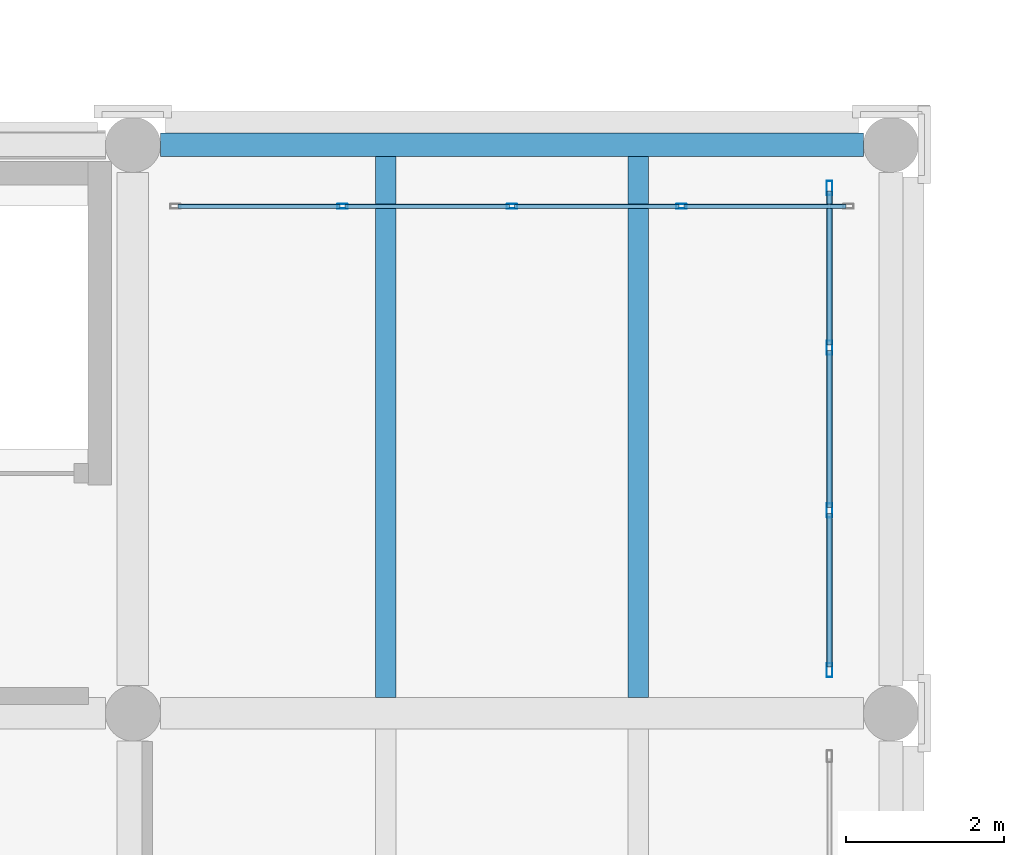
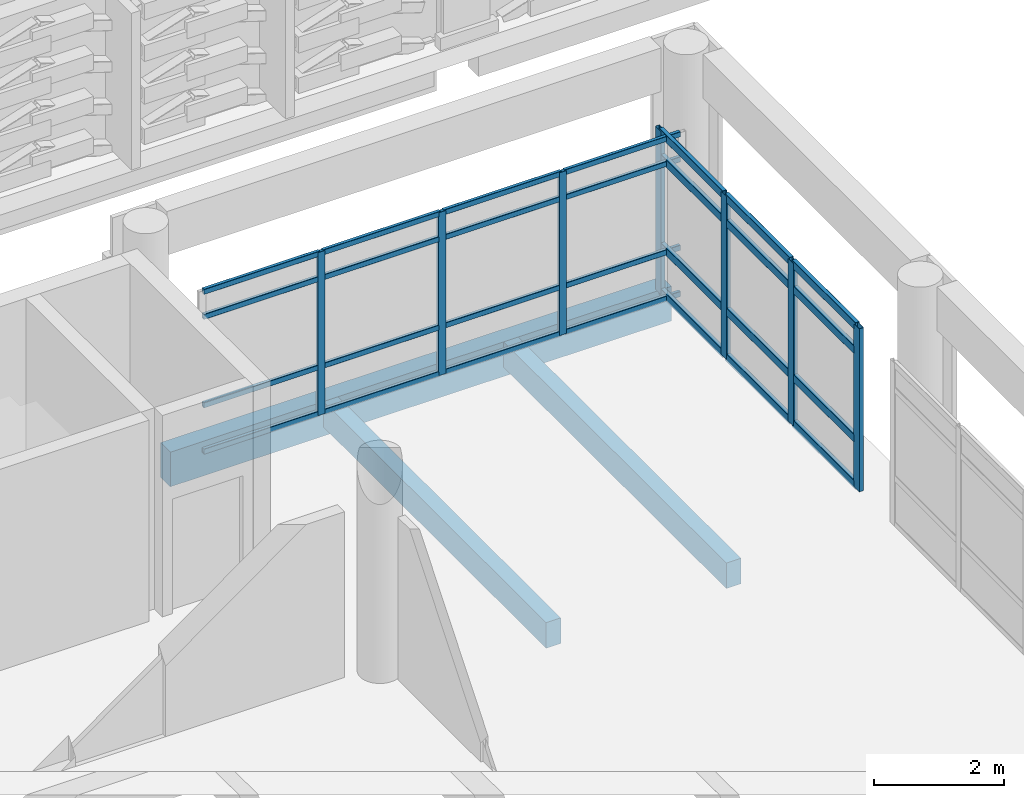
# One storey, part 53 of 180: 35 members, 3 beams, 2 elements without a shape of their own.
"""IFC4 building model written with IfcOpenShell, lengths in metres."""

from ifc_helpers import new_model, si_unit, direction, frame, origin, origin_2d, place, context, subcontext, project, spatial, rectangle, hollow_rectangle, extrude, material, layer, layer_set, material_profile, profile_set, type_object, element, aggregate, save


model = new_model("IFC4")

# Units and contexts
model_context = context("Model", 3, precision=1e-05, world=origin(), true_north=direction((0.0, 1.0)))
body_context = subcontext(model_context, "Body", "Model", "MODEL_VIEW")
ifc_project = project(units=[si_unit("LENGTHUNIT", "METRE"), si_unit("AREAUNIT", "SQUARE_METRE"), si_unit("VOLUMEUNIT", "CUBIC_METRE"), si_unit("PLANEANGLEUNIT", "RADIAN"), si_unit("MASSUNIT", "GRAM", prefix="KILO")], contexts=[model_context])

# Site, building, storey
site_placement = place(None, origin())
site = spatial("IfcSite", under=ifc_project, at=site_placement, CompositionType="ELEMENT")
building_placement = place(site_placement, origin())
building = spatial("IfcBuilding", under=site, at=building_placement, Name="Asteropetra Specialist Clinic", CompositionType="ELEMENT")
storey_placement = place(building_placement, frame((0.0, 0.0, 4.419921875)))
storey = spatial("IfcBuildingStorey", under=building, at=storey_placement, Name="L01", CompositionType="ELEMENT", Elevation=4.419921875)

# Curtain wall, members
ifc_material_1 = material(Name="Aluminium and low-E glass", Category="aluminium")
ifc_layer_1 = layer(ifc_material_1, 0.14990234375)
ifc_layer_set_1 = layer_set([ifc_layer_1], Name="Aluminium and low-E glass")
curtain_wall_type_1 = type_object("IfcCurtainWallType", Name="CW-SYS-11", PredefinedType="USERDEFINED", material=ifc_layer_set_1)
curtain_wall_1_placement = place(storey_placement, origin())
curtain_wall_1 = element("IfcCurtainWall", 1, at=curtain_wall_1_placement, inside=storey, type_object=curtain_wall_type_1, Name="Curtain Wall CW-158", ObjectType="STICK GLAZED COLONNADE", PredefinedType="USERDEFINED")
ifc_material_2 = material(Name="Aluminium 6063-T6", Category="aluminium")
ifc_material_profile_1 = material_profile(ifc_material_2, hollow_rectangle(XDim=0.06005859375, YDim=0.135009765625, WallThickness=0.00341796875, InnerFilletRadius=0.00341796875, OuterFilletRadius=0.007080078125, at=origin_2d()), Name="MUL 135x60x3.5")
ifc_profile_set_1 = profile_set([ifc_material_profile_1], Name="Aluminium 6063-T6")
member_type_1 = type_object("IfcMemberType", Name="CWM-135x60", PredefinedType="MULLION", material=ifc_profile_set_1)
member_1_placement = place(storey_placement, frame((45.344970703125, 61.6201171875, 0.0), z_axis=(0.0, 0.0, 1.0), x_axis=(0.0, -1.0, 0.0)))
member_1 = element("IfcMember", 2, at=member_1_placement, type_object=member_type_1, Name="CW-158 mullion 2", PredefinedType="MULLION", context=body_context, shape_type="SweptSolid", body=[
    extrude(hollow_rectangle(XDim=0.06005859375, YDim=0.135009765625, WallThickness=0.00341796875, InnerFilletRadius=0.00341796875, OuterFilletRadius=0.007080078125, at=origin_2d()), origin(), (0.0, 0.0, 1.0), 3.06005859375),
])
member_2_placement = place(storey_placement, frame((43.199951171875, 61.6201171875, 0.0), z_axis=(0.0, 0.0, 1.0), x_axis=(0.0, -1.0, 0.0)))
member_2 = element("IfcMember", 3, at=member_2_placement, type_object=member_type_1, Name="CW-158 mullion 3", PredefinedType="MULLION", context=body_context, shape_type="SweptSolid", body=[
    extrude(hollow_rectangle(XDim=0.06005859375, YDim=0.135009765625, WallThickness=0.00341796875, InnerFilletRadius=0.00341796875, OuterFilletRadius=0.007080078125, at=origin_2d()), origin(), (0.0, 0.0, 1.0), 3.06005859375),
])
member_3_placement = place(storey_placement, frame((41.054931640625, 61.6201171875, 0.0), z_axis=(0.0, 0.0, 1.0), x_axis=(0.0, -1.0, 0.0)))
member_3 = element("IfcMember", 4, at=member_3_placement, type_object=member_type_1, Name="CW-158 mullion 4", PredefinedType="MULLION", context=body_context, shape_type="SweptSolid", body=[
    extrude(hollow_rectangle(XDim=0.06005859375, YDim=0.135009765625, WallThickness=0.00341796875, InnerFilletRadius=0.00341796875, OuterFilletRadius=0.007080078125, at=origin_2d()), origin(), (0.0, 0.0, 1.0), 3.06005859375),
])

ifc_material_3 = material(Name="Aluminium and low-E glass", Category="aluminium")
ifc_layer_2 = layer(ifc_material_3, 0.179931640625)
ifc_layer_set_2 = layer_set([ifc_layer_2], Name="Aluminium and low-E glass")
curtain_wall_type_2 = type_object("IfcCurtainWallType", Name="CW-SYS-01", PredefinedType="USERDEFINED", material=ifc_layer_set_2)
curtain_wall_2_placement = place(storey_placement, origin())
curtain_wall_2 = element("IfcCurtainWall", 5, at=curtain_wall_2_placement, inside=storey, type_object=curtain_wall_type_2, Name="Curtain Wall CW-165", ObjectType="UNITISED CURTAIN WALL", PredefinedType="USERDEFINED")
ifc_material_4 = material(Name="Aluminium 6063-T6", Category="aluminium")
ifc_material_profile_2 = material_profile(ifc_material_4, hollow_rectangle(XDim=0.074951171875, YDim=0.179931640625, WallThickness=0.00390625, InnerFilletRadius=0.00390625, OuterFilletRadius=0.008056640625, at=origin_2d()), Name="MUL 180x75x4.0")
ifc_profile_set_2 = profile_set([ifc_material_profile_2], Name="Aluminium 6063-T6")
member_type_2 = type_object("IfcMemberType", Name="CWM-180x75", PredefinedType="MULLION", material=ifc_profile_set_2)
member_4_placement = place(storey_placement, frame((47.219970703125, 55.74755859375, 0.0), z_axis=(0.0, 0.0, 1.0), x_axis=(-1.0, 0.0, 0.0)))
member_4 = element("IfcMember", 6, at=member_4_placement, type_object=member_type_2, Name="CW-165 mullion 1", PredefinedType="MULLION", context=body_context, shape_type="SweptSolid", body=[
    extrude(hollow_rectangle(XDim=0.074951171875, YDim=0.179931640625, WallThickness=0.00390625, InnerFilletRadius=0.00390625, OuterFilletRadius=0.008056640625, at=origin_2d()), origin(), (0.0, 0.0, 1.0), 3.06005859375),
])
member_5_placement = place(storey_placement, frame((47.219970703125, 57.77001953125, 0.0), z_axis=(0.0, 0.0, 1.0), x_axis=(-1.0, 0.0, 0.0)))
member_5 = element("IfcMember", 7, at=member_5_placement, type_object=member_type_2, Name="CW-165 mullion 2", PredefinedType="MULLION", context=body_context, shape_type="SweptSolid", body=[
    extrude(hollow_rectangle(XDim=0.074951171875, YDim=0.179931640625, WallThickness=0.00390625, InnerFilletRadius=0.00390625, OuterFilletRadius=0.008056640625, at=origin_2d()), origin(), (0.0, 0.0, 1.0), 3.06005859375),
])
member_6_placement = place(storey_placement, frame((47.219970703125, 59.830078125, 0.0), z_axis=(0.0, 0.0, 1.0), x_axis=(-1.0, 0.0, 0.0)))
member_6 = element("IfcMember", 8, at=member_6_placement, type_object=member_type_2, Name="CW-165 mullion 3", PredefinedType="MULLION", context=body_context, shape_type="SweptSolid", body=[
    extrude(hollow_rectangle(XDim=0.074951171875, YDim=0.179931640625, WallThickness=0.00390625, InnerFilletRadius=0.00390625, OuterFilletRadius=0.008056640625, at=origin_2d()), origin(), (0.0, 0.0, 1.0), 3.06005859375),
])
member_7_placement = place(storey_placement, frame((47.219970703125, 61.8525390625, 0.0), z_axis=(0.0, 0.0, 1.0), x_axis=(-1.0, 0.0, 0.0)))
member_7 = element("IfcMember", 9, at=member_7_placement, type_object=member_type_2, Name="CW-165 mullion 4", PredefinedType="MULLION", context=body_context, shape_type="SweptSolid", body=[
    extrude(hollow_rectangle(XDim=0.074951171875, YDim=0.179931640625, WallThickness=0.00390625, InnerFilletRadius=0.00390625, OuterFilletRadius=0.008056640625, at=origin_2d()), origin(), (0.0, 0.0, 1.0), 3.06005859375),
])

# Member
ifc_material_5 = material(Name="Aluminium 6063-T6", Category="aluminium")
ifc_material_profile_3 = material_profile(ifc_material_5, hollow_rectangle(XDim=0.06005859375, YDim=0.10009765625, WallThickness=0.00341796875, InnerFilletRadius=0.00341796875, OuterFilletRadius=0.007080078125, at=origin_2d()), Name="TRN 100x60x3.5")
ifc_profile_set_3 = profile_set([ifc_material_profile_3], Name="Aluminium 6063-T6")
member_type_3 = type_object("IfcMemberType", Name="CWT-100x60", PredefinedType="USERDEFINED", material=ifc_profile_set_3)
member_8_placement = place(storey_placement, frame((47.429931640625, 61.6201171875, 0.030029296875), z_axis=(-1.0, 0.0, 0.0), x_axis=(0.0, -1.0, 0.0)))
member_8 = element("IfcMember", 10, at=member_8_placement, type_object=member_type_3, Name="CW-158 transom 1.1", ObjectType="TRANSOM", PredefinedType="USERDEFINED", context=body_context, shape_type="SweptSolid", body=[
    extrude(hollow_rectangle(XDim=0.06005859375, YDim=0.10009765625, WallThickness=0.00341796875, InnerFilletRadius=0.00341796875, OuterFilletRadius=0.007080078125, at=origin_2d()), origin(), (0.0, 0.0, 1.0), 2.054931640625),
])

member_9_placement = place(storey_placement, frame((47.429931640625, 61.6201171875, 0.900146484375), z_axis=(-1.0, 0.0, 0.0), x_axis=(0.0, -1.0, 0.0)))
member_9 = element("IfcMember", 11, at=member_9_placement, type_object=member_type_3, Name="CW-158 transom 1.2", ObjectType="TRANSOM", PredefinedType="USERDEFINED", context=body_context, shape_type="SweptSolid", body=[
    extrude(hollow_rectangle(XDim=0.06005859375, YDim=0.10009765625, WallThickness=0.00341796875, InnerFilletRadius=0.00341796875, OuterFilletRadius=0.007080078125, at=origin_2d()), origin(), (0.0, 0.0, 1.0), 2.054931640625),
])

member_10_placement = place(storey_placement, frame((47.429931640625, 61.6201171875, 2.56005859375), z_axis=(-1.0, 0.0, 0.0), x_axis=(0.0, -1.0, 0.0)))
member_10 = element("IfcMember", 12, at=member_10_placement, type_object=member_type_3, Name="CW-158 transom 1.3", ObjectType="TRANSOM", PredefinedType="USERDEFINED", context=body_context, shape_type="SweptSolid", body=[
    extrude(hollow_rectangle(XDim=0.06005859375, YDim=0.10009765625, WallThickness=0.00341796875, InnerFilletRadius=0.00341796875, OuterFilletRadius=0.007080078125, at=origin_2d()), origin(), (0.0, 0.0, 1.0), 2.054931640625),
])

member_11_placement = place(storey_placement, frame((47.429931640625, 61.6201171875, 3.030029296875), z_axis=(-1.0, 0.0, 0.0), x_axis=(0.0, -1.0, 0.0)))
member_11 = element("IfcMember", 13, at=member_11_placement, type_object=member_type_3, Name="CW-158 transom 1.4", ObjectType="TRANSOM", PredefinedType="USERDEFINED", context=body_context, shape_type="SweptSolid", body=[
    extrude(hollow_rectangle(XDim=0.06005859375, YDim=0.10009765625, WallThickness=0.00341796875, InnerFilletRadius=0.00341796875, OuterFilletRadius=0.007080078125, at=origin_2d()), origin(), (0.0, 0.0, 1.0), 2.054931640625),
])

member_12_placement = place(storey_placement, frame((45.31494140625, 61.6201171875, 0.030029296875), z_axis=(-1.0, 0.0, 0.0), x_axis=(0.0, -1.0, 0.0)))
member_12 = element("IfcMember", 14, at=member_12_placement, type_object=member_type_3, Name="CW-158 transom 2.1", ObjectType="TRANSOM", PredefinedType="USERDEFINED", context=body_context, shape_type="SweptSolid", body=[
    extrude(hollow_rectangle(XDim=0.06005859375, YDim=0.10009765625, WallThickness=0.00341796875, InnerFilletRadius=0.00341796875, OuterFilletRadius=0.007080078125, at=origin_2d()), origin(), (0.0, 0.0, 1.0), 2.0849609375),
])

member_13_placement = place(storey_placement, frame((45.31494140625, 61.6201171875, 0.900146484375), z_axis=(-1.0, 0.0, 0.0), x_axis=(0.0, -1.0, 0.0)))
member_13 = element("IfcMember", 15, at=member_13_placement, type_object=member_type_3, Name="CW-158 transom 2.2", ObjectType="TRANSOM", PredefinedType="USERDEFINED", context=body_context, shape_type="SweptSolid", body=[
    extrude(hollow_rectangle(XDim=0.06005859375, YDim=0.10009765625, WallThickness=0.00341796875, InnerFilletRadius=0.00341796875, OuterFilletRadius=0.007080078125, at=origin_2d()), origin(), (0.0, 0.0, 1.0), 2.0849609375),
])

member_14_placement = place(storey_placement, frame((45.31494140625, 61.6201171875, 2.56005859375), z_axis=(-1.0, 0.0, 0.0), x_axis=(0.0, -1.0, 0.0)))
member_14 = element("IfcMember", 16, at=member_14_placement, type_object=member_type_3, Name="CW-158 transom 2.3", ObjectType="TRANSOM", PredefinedType="USERDEFINED", context=body_context, shape_type="SweptSolid", body=[
    extrude(hollow_rectangle(XDim=0.06005859375, YDim=0.10009765625, WallThickness=0.00341796875, InnerFilletRadius=0.00341796875, OuterFilletRadius=0.007080078125, at=origin_2d()), origin(), (0.0, 0.0, 1.0), 2.0849609375),
])

member_15_placement = place(storey_placement, frame((45.31494140625, 61.6201171875, 3.030029296875), z_axis=(-1.0, 0.0, 0.0), x_axis=(0.0, -1.0, 0.0)))
member_15 = element("IfcMember", 17, at=member_15_placement, type_object=member_type_3, Name="CW-158 transom 2.4", ObjectType="TRANSOM", PredefinedType="USERDEFINED", context=body_context, shape_type="SweptSolid", body=[
    extrude(hollow_rectangle(XDim=0.06005859375, YDim=0.10009765625, WallThickness=0.00341796875, InnerFilletRadius=0.00341796875, OuterFilletRadius=0.007080078125, at=origin_2d()), origin(), (0.0, 0.0, 1.0), 2.0849609375),
])

member_16_placement = place(storey_placement, frame((43.169921875, 61.6201171875, 0.030029296875), z_axis=(-1.0, 0.0, 0.0), x_axis=(0.0, -1.0, 0.0)))
member_16 = element("IfcMember", 18, at=member_16_placement, type_object=member_type_3, Name="CW-158 transom 3.1", ObjectType="TRANSOM", PredefinedType="USERDEFINED", context=body_context, shape_type="SweptSolid", body=[
    extrude(hollow_rectangle(XDim=0.06005859375, YDim=0.10009765625, WallThickness=0.00341796875, InnerFilletRadius=0.00341796875, OuterFilletRadius=0.007080078125, at=origin_2d()), origin(), (0.0, 0.0, 1.0), 2.0849609375),
])

member_17_placement = place(storey_placement, frame((43.169921875, 61.6201171875, 0.900146484375), z_axis=(-1.0, 0.0, 0.0), x_axis=(0.0, -1.0, 0.0)))
member_17 = element("IfcMember", 19, at=member_17_placement, type_object=member_type_3, Name="CW-158 transom 3.2", ObjectType="TRANSOM", PredefinedType="USERDEFINED", context=body_context, shape_type="SweptSolid", body=[
    extrude(hollow_rectangle(XDim=0.06005859375, YDim=0.10009765625, WallThickness=0.00341796875, InnerFilletRadius=0.00341796875, OuterFilletRadius=0.007080078125, at=origin_2d()), origin(), (0.0, 0.0, 1.0), 2.0849609375),
])

member_18_placement = place(storey_placement, frame((43.169921875, 61.6201171875, 2.56005859375), z_axis=(-1.0, 0.0, 0.0), x_axis=(0.0, -1.0, 0.0)))
member_18 = element("IfcMember", 20, at=member_18_placement, type_object=member_type_3, Name="CW-158 transom 3.3", ObjectType="TRANSOM", PredefinedType="USERDEFINED", context=body_context, shape_type="SweptSolid", body=[
    extrude(hollow_rectangle(XDim=0.06005859375, YDim=0.10009765625, WallThickness=0.00341796875, InnerFilletRadius=0.00341796875, OuterFilletRadius=0.007080078125, at=origin_2d()), origin(), (0.0, 0.0, 1.0), 2.0849609375),
])

member_19_placement = place(storey_placement, frame((43.169921875, 61.6201171875, 3.030029296875), z_axis=(-1.0, 0.0, 0.0), x_axis=(0.0, -1.0, 0.0)))
member_19 = element("IfcMember", 21, at=member_19_placement, type_object=member_type_3, Name="CW-158 transom 3.4", ObjectType="TRANSOM", PredefinedType="USERDEFINED", context=body_context, shape_type="SweptSolid", body=[
    extrude(hollow_rectangle(XDim=0.06005859375, YDim=0.10009765625, WallThickness=0.00341796875, InnerFilletRadius=0.00341796875, OuterFilletRadius=0.007080078125, at=origin_2d()), origin(), (0.0, 0.0, 1.0), 2.0849609375),
])

member_20_placement = place(storey_placement, frame((41.02490234375, 61.6201171875, 0.030029296875), z_axis=(-1.0, 0.0, 0.0), x_axis=(0.0, -1.0, 0.0)))
member_20 = element("IfcMember", 22, at=member_20_placement, type_object=member_type_3, Name="CW-158 transom 4.1", ObjectType="TRANSOM", PredefinedType="USERDEFINED", context=body_context, shape_type="SweptSolid", body=[
    extrude(hollow_rectangle(XDim=0.06005859375, YDim=0.10009765625, WallThickness=0.00341796875, InnerFilletRadius=0.00341796875, OuterFilletRadius=0.007080078125, at=origin_2d()), origin(), (0.0, 0.0, 1.0), 2.054931640625),
])

member_21_placement = place(storey_placement, frame((41.02490234375, 61.6201171875, 0.900146484375), z_axis=(-1.0, 0.0, 0.0), x_axis=(0.0, -1.0, 0.0)))
member_21 = element("IfcMember", 23, at=member_21_placement, type_object=member_type_3, Name="CW-158 transom 4.2", ObjectType="TRANSOM", PredefinedType="USERDEFINED", context=body_context, shape_type="SweptSolid", body=[
    extrude(hollow_rectangle(XDim=0.06005859375, YDim=0.10009765625, WallThickness=0.00341796875, InnerFilletRadius=0.00341796875, OuterFilletRadius=0.007080078125, at=origin_2d()), origin(), (0.0, 0.0, 1.0), 2.054931640625),
])

member_22_placement = place(storey_placement, frame((41.02490234375, 61.6201171875, 2.56005859375), z_axis=(-1.0, 0.0, 0.0), x_axis=(0.0, -1.0, 0.0)))
member_22 = element("IfcMember", 24, at=member_22_placement, type_object=member_type_3, Name="CW-158 transom 4.3", ObjectType="TRANSOM", PredefinedType="USERDEFINED", context=body_context, shape_type="SweptSolid", body=[
    extrude(hollow_rectangle(XDim=0.06005859375, YDim=0.10009765625, WallThickness=0.00341796875, InnerFilletRadius=0.00341796875, OuterFilletRadius=0.007080078125, at=origin_2d()), origin(), (0.0, 0.0, 1.0), 2.054931640625),
])

member_23_placement = place(storey_placement, frame((41.02490234375, 61.6201171875, 3.030029296875), z_axis=(-1.0, 0.0, 0.0), x_axis=(0.0, -1.0, 0.0)))
member_23 = element("IfcMember", 25, at=member_23_placement, type_object=member_type_3, Name="CW-158 transom 4.4", ObjectType="TRANSOM", PredefinedType="USERDEFINED", context=body_context, shape_type="SweptSolid", body=[
    extrude(hollow_rectangle(XDim=0.06005859375, YDim=0.10009765625, WallThickness=0.00341796875, InnerFilletRadius=0.00341796875, OuterFilletRadius=0.007080078125, at=origin_2d()), origin(), (0.0, 0.0, 1.0), 2.054931640625),
])

aggregate(curtain_wall_1, [member_1, member_2, member_3, member_8, member_9, member_10, member_11, member_12, member_13, member_14, member_15, member_16, member_17, member_18, member_19, member_20, member_21, member_22, member_23])

ifc_material_6 = material(Name="Aluminium 6063-T6", Category="aluminium")
ifc_material_profile_4 = material_profile(ifc_material_6, hollow_rectangle(XDim=0.074951171875, YDim=0.14990234375, WallThickness=0.00390625, InnerFilletRadius=0.00390625, OuterFilletRadius=0.008056640625, at=origin_2d()), Name="TRN 150x75x4.0")
ifc_profile_set_4 = profile_set([ifc_material_profile_4], Name="Aluminium 6063-T6")
member_type_4 = type_object("IfcMemberType", Name="CWT-150x75", PredefinedType="USERDEFINED", material=ifc_profile_set_4)
member_24_placement = place(storey_placement, frame((47.219970703125, 55.784912109375, 0.03759765625), z_axis=(0.0, 1.0, 0.0), x_axis=(-1.0, 0.0, 0.0)))
member_24 = element("IfcMember", 26, at=member_24_placement, type_object=member_type_4, Name="CW-165 transom 1.1", ObjectType="TRANSOM", PredefinedType="USERDEFINED", context=body_context, shape_type="SweptSolid", body=[
    extrude(hollow_rectangle(XDim=0.074951171875, YDim=0.14990234375, WallThickness=0.00390625, InnerFilletRadius=0.00390625, OuterFilletRadius=0.008056640625, at=origin_2d()), origin(), (0.0, 0.0, 1.0), 1.947509765625),
])

member_25_placement = place(storey_placement, frame((47.219970703125, 55.784912109375, 0.900146484375), z_axis=(0.0, 1.0, 0.0), x_axis=(-1.0, 0.0, 0.0)))
member_25 = element("IfcMember", 27, at=member_25_placement, type_object=member_type_4, Name="CW-165 transom 1.2", ObjectType="TRANSOM", PredefinedType="USERDEFINED", context=body_context, shape_type="SweptSolid", body=[
    extrude(hollow_rectangle(XDim=0.074951171875, YDim=0.14990234375, WallThickness=0.00390625, InnerFilletRadius=0.00390625, OuterFilletRadius=0.008056640625, at=origin_2d()), origin(), (0.0, 0.0, 1.0), 1.947509765625),
])

member_26_placement = place(storey_placement, frame((47.219970703125, 55.784912109375, 2.56005859375), z_axis=(0.0, 1.0, 0.0), x_axis=(-1.0, 0.0, 0.0)))
member_26 = element("IfcMember", 28, at=member_26_placement, type_object=member_type_4, Name="CW-165 transom 1.3", ObjectType="TRANSOM", PredefinedType="USERDEFINED", context=body_context, shape_type="SweptSolid", body=[
    extrude(hollow_rectangle(XDim=0.074951171875, YDim=0.14990234375, WallThickness=0.00390625, InnerFilletRadius=0.00390625, OuterFilletRadius=0.008056640625, at=origin_2d()), origin(), (0.0, 0.0, 1.0), 1.947509765625),
])

member_27_placement = place(storey_placement, frame((47.219970703125, 55.784912109375, 3.0224609375), z_axis=(0.0, 1.0, 0.0), x_axis=(-1.0, 0.0, 0.0)))
member_27 = element("IfcMember", 29, at=member_27_placement, type_object=member_type_4, Name="CW-165 transom 1.4", ObjectType="TRANSOM", PredefinedType="USERDEFINED", context=body_context, shape_type="SweptSolid", body=[
    extrude(hollow_rectangle(XDim=0.074951171875, YDim=0.14990234375, WallThickness=0.00390625, InnerFilletRadius=0.00390625, OuterFilletRadius=0.008056640625, at=origin_2d()), origin(), (0.0, 0.0, 1.0), 1.947509765625),
])

member_28_placement = place(storey_placement, frame((47.219970703125, 57.8076171875, 0.03759765625), z_axis=(0.0, 1.0, 0.0), x_axis=(-1.0, 0.0, 0.0)))
member_28 = element("IfcMember", 30, at=member_28_placement, type_object=member_type_4, Name="CW-165 transom 2.1", ObjectType="TRANSOM", PredefinedType="USERDEFINED", context=body_context, shape_type="SweptSolid", body=[
    extrude(hollow_rectangle(XDim=0.074951171875, YDim=0.14990234375, WallThickness=0.00390625, InnerFilletRadius=0.00390625, OuterFilletRadius=0.008056640625, at=origin_2d()), origin(), (0.0, 0.0, 1.0), 1.98486328125),
])

member_29_placement = place(storey_placement, frame((47.219970703125, 57.8076171875, 0.900146484375), z_axis=(0.0, 1.0, 0.0), x_axis=(-1.0, 0.0, 0.0)))
member_29 = element("IfcMember", 31, at=member_29_placement, type_object=member_type_4, Name="CW-165 transom 2.2", ObjectType="TRANSOM", PredefinedType="USERDEFINED", context=body_context, shape_type="SweptSolid", body=[
    extrude(hollow_rectangle(XDim=0.074951171875, YDim=0.14990234375, WallThickness=0.00390625, InnerFilletRadius=0.00390625, OuterFilletRadius=0.008056640625, at=origin_2d()), origin(), (0.0, 0.0, 1.0), 1.98486328125),
])

member_30_placement = place(storey_placement, frame((47.219970703125, 57.8076171875, 2.56005859375), z_axis=(0.0, 1.0, 0.0), x_axis=(-1.0, 0.0, 0.0)))
member_30 = element("IfcMember", 32, at=member_30_placement, type_object=member_type_4, Name="CW-165 transom 2.3", ObjectType="TRANSOM", PredefinedType="USERDEFINED", context=body_context, shape_type="SweptSolid", body=[
    extrude(hollow_rectangle(XDim=0.074951171875, YDim=0.14990234375, WallThickness=0.00390625, InnerFilletRadius=0.00390625, OuterFilletRadius=0.008056640625, at=origin_2d()), origin(), (0.0, 0.0, 1.0), 1.98486328125),
])

member_31_placement = place(storey_placement, frame((47.219970703125, 57.8076171875, 3.0224609375), z_axis=(0.0, 1.0, 0.0), x_axis=(-1.0, 0.0, 0.0)))
member_31 = element("IfcMember", 33, at=member_31_placement, type_object=member_type_4, Name="CW-165 transom 2.4", ObjectType="TRANSOM", PredefinedType="USERDEFINED", context=body_context, shape_type="SweptSolid", body=[
    extrude(hollow_rectangle(XDim=0.074951171875, YDim=0.14990234375, WallThickness=0.00390625, InnerFilletRadius=0.00390625, OuterFilletRadius=0.008056640625, at=origin_2d()), origin(), (0.0, 0.0, 1.0), 1.98486328125),
])

member_32_placement = place(storey_placement, frame((47.219970703125, 59.867431640625, 0.03759765625), z_axis=(0.0, 1.0, 0.0), x_axis=(-1.0, 0.0, 0.0)))
member_32 = element("IfcMember", 34, at=member_32_placement, type_object=member_type_4, Name="CW-165 transom 3.1", ObjectType="TRANSOM", PredefinedType="USERDEFINED", context=body_context, shape_type="SweptSolid", body=[
    extrude(hollow_rectangle(XDim=0.074951171875, YDim=0.14990234375, WallThickness=0.00390625, InnerFilletRadius=0.00390625, OuterFilletRadius=0.008056640625, at=origin_2d()), origin(), (0.0, 0.0, 1.0), 1.947509765625),
])

member_33_placement = place(storey_placement, frame((47.219970703125, 59.867431640625, 0.900146484375), z_axis=(0.0, 1.0, 0.0), x_axis=(-1.0, 0.0, 0.0)))
member_33 = element("IfcMember", 35, at=member_33_placement, type_object=member_type_4, Name="CW-165 transom 3.2", ObjectType="TRANSOM", PredefinedType="USERDEFINED", context=body_context, shape_type="SweptSolid", body=[
    extrude(hollow_rectangle(XDim=0.074951171875, YDim=0.14990234375, WallThickness=0.00390625, InnerFilletRadius=0.00390625, OuterFilletRadius=0.008056640625, at=origin_2d()), origin(), (0.0, 0.0, 1.0), 1.947509765625),
])

member_34_placement = place(storey_placement, frame((47.219970703125, 59.867431640625, 2.56005859375), z_axis=(0.0, 1.0, 0.0), x_axis=(-1.0, 0.0, 0.0)))
member_34 = element("IfcMember", 36, at=member_34_placement, type_object=member_type_4, Name="CW-165 transom 3.3", ObjectType="TRANSOM", PredefinedType="USERDEFINED", context=body_context, shape_type="SweptSolid", body=[
    extrude(hollow_rectangle(XDim=0.074951171875, YDim=0.14990234375, WallThickness=0.00390625, InnerFilletRadius=0.00390625, OuterFilletRadius=0.008056640625, at=origin_2d()), origin(), (0.0, 0.0, 1.0), 1.947509765625),
])

member_35_placement = place(storey_placement, frame((47.219970703125, 59.867431640625, 3.0224609375), z_axis=(0.0, 1.0, 0.0), x_axis=(-1.0, 0.0, 0.0)))
member_35 = element("IfcMember", 37, at=member_35_placement, type_object=member_type_4, Name="CW-165 transom 3.4", ObjectType="TRANSOM", PredefinedType="USERDEFINED", context=body_context, shape_type="SweptSolid", body=[
    extrude(hollow_rectangle(XDim=0.074951171875, YDim=0.14990234375, WallThickness=0.00390625, InnerFilletRadius=0.00390625, OuterFilletRadius=0.008056640625, at=origin_2d()), origin(), (0.0, 0.0, 1.0), 1.947509765625),
])

aggregate(curtain_wall_2, [member_4, member_5, member_6, member_7, member_24, member_25, member_26, member_27, member_28, member_29, member_30, member_31, member_32, member_33, member_34, member_35])

# Beams
ifc_material_7 = material(Name="Concrete C35/45", Category="concrete")
ifc_material_profile_5 = material_profile(ifc_material_7, rectangle(XDim=0.260009765625, YDim=0.47998046875, at=origin_2d()), Name="RCJ 260x480")
ifc_profile_set_5 = profile_set([ifc_material_profile_5], Name="Concrete C35/45")
beam_type_1 = type_object("IfcBeamType", Name="JST-RC260x480", PredefinedType="JOIST", material=ifc_profile_set_5)
for number, where, z_axis, x_axis, name in (
    (38, (41.60009765625, 55.39990234375, -0.5400390625), (0.0, 1.0, 0.0), (-1.0, 0.0, 0.0), "Joist JJST02-0392"),
    (39, (44.800048828125, 55.39990234375, -0.5400390625), (0.0, 1.0, 0.0), (-1.0, 0.0, 0.0), "Joist JJST02-0393"),
):
    element("IfcBeam", number, at=place(storey_placement, frame(where, z_axis=z_axis, x_axis=x_axis)), inside=storey, type_object=beam_type_1, Name=name, PredefinedType="JOIST", context=body_context, shape_type="SweptSolid", body=[
        extrude(rectangle(XDim=0.260009765625, YDim=0.47998046875, at=origin_2d()), origin(), (0.0, 0.0, 1.0), 6.85009765625),
    ])
ifc_material_8 = material(Name="Concrete C35/45", Category="concrete")
ifc_material_profile_6 = material_profile(ifc_material_8, rectangle(XDim=0.300048828125, YDim=0.64990234375, at=origin_2d()), Name="RCS 300x650")
ifc_profile_set_6 = profile_set([ifc_material_profile_6], Name="Concrete C35/45")
beam_type_2 = type_object("IfcBeamType", Name="SPN-RC300x650", PredefinedType="SPANDREL", material=ifc_profile_set_6)
beam_placement = place(storey_placement, frame((38.75, 62.39990234375, -0.625), z_axis=(1.0, 0.0, 0.0), x_axis=(0.0, 1.0, 0.0)))
element("IfcBeam", 40, at=beam_placement, inside=storey, type_object=beam_type_2, Name="Beam BSPN03-0333", PredefinedType="SPANDREL", context=body_context, shape_type="SweptSolid", body=[
    extrude(rectangle(XDim=0.300048828125, YDim=0.64990234375, at=origin_2d()), origin(), (0.0, 0.0, 1.0), 8.89990234375),
])

save(model, "model.ifc")
